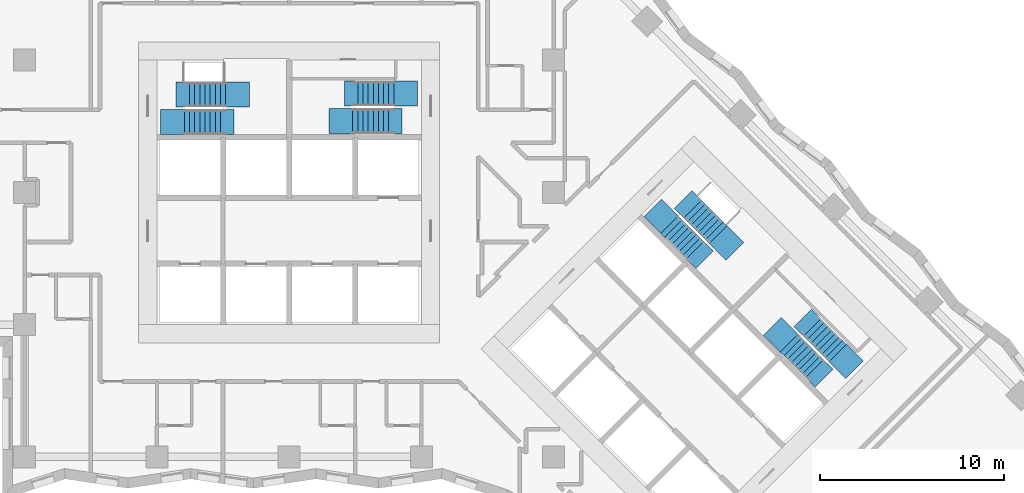
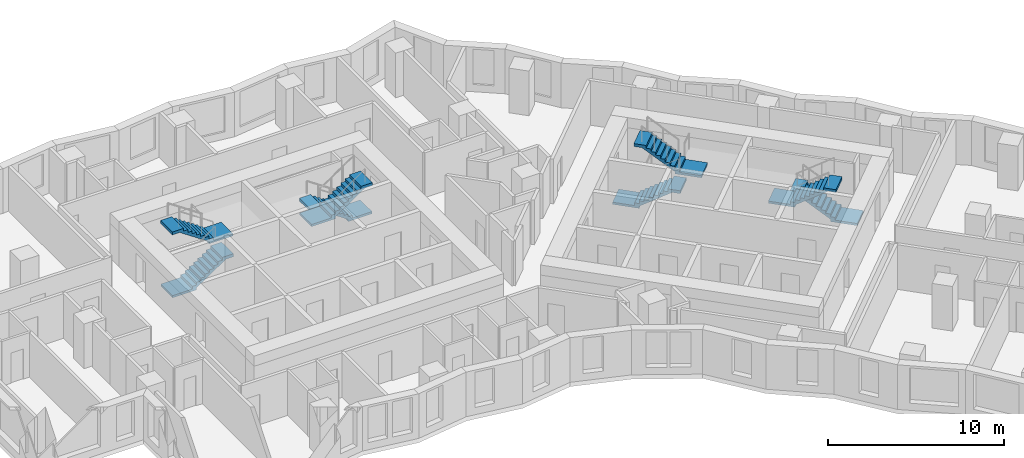
# One storey, part 10 of 12: 8 stair flights, 4 elements without a shape of their own.
"""IFC4 building model written with IfcOpenShell, lengths in metres."""

from ifc_helpers import new_model, si_unit, direction, frame, origin, place, context, subcontext, project, spatial, polyline, outline, extrude, material, type_object, element, aggregate, save


model = new_model("IFC4")

# Units and contexts
model_context = context("Model", 3, precision=1e-05, world=origin(), true_north=direction((0.0, 1.0)))
body_context = subcontext(model_context, "Body", "Model", "MODEL_VIEW")
ifc_project = project(units=[si_unit("LENGTHUNIT", "METRE"), si_unit("AREAUNIT", "SQUARE_METRE"), si_unit("VOLUMEUNIT", "CUBIC_METRE"), si_unit("PLANEANGLEUNIT", "RADIAN"), si_unit("MASSUNIT", "GRAM", prefix="KILO")], contexts=[model_context])

# Site, building, storey
site_placement = place(None, origin())
site = spatial("IfcSite", under=ifc_project, at=site_placement, CompositionType="ELEMENT")
building_placement = place(site_placement, origin())
building = spatial("IfcBuilding", under=site, at=building_placement, Name="Windrow Commons", CompositionType="ELEMENT")
storey_placement = place(building_placement, frame((0.0, 0.0, 50.8)))
storey = spatial("IfcBuildingStorey", under=building, at=storey_placement, Name="L13", CompositionType="ELEMENT", Elevation=50.8)

# Stair, stair flights
ifc_material_1 = material(Name="Concrete C40/50", Category="concrete")
stair_type = type_object("IfcStairType", Name="Core stair", PredefinedType="HALF_TURN_STAIR", material=ifc_material_1)
placement = place(storey_placement, origin())
stair_1 = element("IfcStair", 1, at=placement, inside=storey, type_object=stair_type, Name="L13 Exit stair A1 core A", PredefinedType="HALF_TURN_STAIR")
ifc_material_2 = material(Name="Concrete C40/50", Category="concrete")
stair_flight_type = type_object("IfcStairFlightType", Name="Core stair flight", PredefinedType="STRAIGHT", material=ifc_material_2)
stair_flight_1_placement = place(storey_placement, frame((59.1, 61.425, 0.0), z_axis=(0.0, 0.0, 1.0), x_axis=(1.0, 0.0, 0.0)))
stair_flight_1 = element("IfcStairFlight", 2, at=stair_flight_1_placement, type_object=stair_flight_type, Name="ST-A1 flight 1", NumberOfRisers=9, NumberOfTreads=8, PredefinedType="STRAIGHT", RiserHeight=0.188888889, TreadLength=0.28, context=body_context, shape_type="SweptSolid", body=[
    extrude(outline(polyline([(-1.3, -0.15), (-1.3, 0.0), (0.0, 0.0), (0.0, 0.1889), (0.28, 0.1889), (0.28, 0.3778), (0.56, 0.3778), (0.56, 0.5667), (0.84, 0.5667), (0.84, 0.7556), (1.12, 0.7556), (1.12, 0.9444), (1.4, 0.9444), (1.4, 1.1333), (1.68, 1.1333), (1.68, 1.3222), (1.96, 1.3222), (1.96, 1.5111), (2.24, 1.5111), (2.69, 1.5111), (2.69, 1.3111), (2.24, 1.3111), (2.24, 1.3302), (0.2682, 0.0), (0.2682, -0.15), (-1.3, -0.15)])), frame((0.0, 0.675, 0.0), z_axis=(0.0, -1.0, 0.0), x_axis=(1.0, 0.0, 0.0)), (0.0, 0.0, 1.0), 1.35),
])
stair_flight_2_placement = place(storey_placement, frame((61.34, 62.925, 1.7), z_axis=(0.0, 0.0, 1.0), x_axis=(-1.0, 0.0, 0.0)))
stair_flight_2 = element("IfcStairFlight", 3, at=stair_flight_2_placement, type_object=stair_flight_type, Name="ST-A1 flight 2", NumberOfRisers=9, NumberOfTreads=8, PredefinedType="STRAIGHT", RiserHeight=0.188888889, TreadLength=0.28, context=body_context, shape_type="SweptSolid", body=[
    extrude(outline(polyline([(-1.3, -0.15), (-1.3, 0.0), (0.0, 0.0), (0.0, 0.1889), (0.28, 0.1889), (0.28, 0.3778), (0.56, 0.3778), (0.56, 0.5667), (0.84, 0.5667), (0.84, 0.7556), (1.12, 0.7556), (1.12, 0.9444), (1.4, 0.9444), (1.4, 1.1333), (1.68, 1.1333), (1.68, 1.3222), (1.96, 1.3222), (1.96, 1.5111), (2.24, 1.5111), (2.69, 1.5111), (2.69, 1.3111), (2.24, 1.3111), (2.24, 1.3302), (0.2682, 0.0), (0.2682, -0.15), (-1.3, -0.15)])), frame((0.0, 0.675, 0.0), z_axis=(0.0, -1.0, 0.0), x_axis=(1.0, 0.0, 0.0)), (0.0, 0.0, 1.0), 1.35),
])
aggregate(stair_1, [stair_flight_1, stair_flight_2])

stair_2 = element("IfcStair", 4, at=placement, inside=storey, type_object=stair_type, Name="L13 Exit stair A2 core A", PredefinedType="HALF_TURN_STAIR")
stair_flight_3_placement = place(storey_placement, frame((70.5, 62.98, 0.0), z_axis=(0.0, 0.0, 1.0), x_axis=(-1.0, 0.0, 0.0)))
stair_flight_3 = element("IfcStairFlight", 5, at=stair_flight_3_placement, type_object=stair_flight_type, Name="ST-A2 flight 1", NumberOfRisers=9, NumberOfTreads=8, PredefinedType="STRAIGHT", RiserHeight=0.188888889, TreadLength=0.28, context=body_context, shape_type="SweptSolid", body=[
    extrude(outline(polyline([(-1.3, -0.15), (-1.3, 0.0), (0.0, 0.0), (0.0, 0.1889), (0.28, 0.1889), (0.28, 0.3778), (0.56, 0.3778), (0.56, 0.5667), (0.84, 0.5667), (0.84, 0.7556), (1.12, 0.7556), (1.12, 0.9444), (1.4, 0.9444), (1.4, 1.1333), (1.68, 1.1333), (1.68, 1.3222), (1.96, 1.3222), (1.96, 1.5111), (2.24, 1.5111), (2.69, 1.5111), (2.69, 1.3111), (2.24, 1.3111), (2.24, 1.3302), (0.2682, 0.0), (0.2682, -0.15), (-1.3, -0.15)])), frame((0.0, 0.675, 0.0), z_axis=(0.0, -1.0, 0.0), x_axis=(1.0, 0.0, 0.0)), (0.0, 0.0, 1.0), 1.35),
])
stair_flight_4_placement = place(storey_placement, frame((68.26, 61.48, 1.7), z_axis=(0.0, 0.0, 1.0), x_axis=(1.0, 0.0, 0.0)))
stair_flight_4 = element("IfcStairFlight", 6, at=stair_flight_4_placement, type_object=stair_flight_type, Name="ST-A2 flight 2", NumberOfRisers=9, NumberOfTreads=8, PredefinedType="STRAIGHT", RiserHeight=0.188888889, TreadLength=0.28, context=body_context, shape_type="SweptSolid", body=[
    extrude(outline(polyline([(-1.3, -0.15), (-1.3, 0.0), (0.0, 0.0), (0.0, 0.1889), (0.28, 0.1889), (0.28, 0.3778), (0.56, 0.3778), (0.56, 0.5667), (0.84, 0.5667), (0.84, 0.7556), (1.12, 0.7556), (1.12, 0.9444), (1.4, 0.9444), (1.4, 1.1333), (1.68, 1.1333), (1.68, 1.3222), (1.96, 1.3222), (1.96, 1.5111), (2.24, 1.5111), (2.69, 1.5111), (2.69, 1.3111), (2.24, 1.3111), (2.24, 1.3302), (0.2682, 0.0), (0.2682, -0.15), (-1.3, -0.15)])), frame((0.0, 0.675, 0.0), z_axis=(0.0, -1.0, 0.0), x_axis=(1.0, 0.0, 0.0)), (0.0, 0.0, 1.0), 1.35),
])
aggregate(stair_2, [stair_flight_3, stair_flight_4])

stair_3 = element("IfcStair", 7, at=placement, inside=storey, type_object=stair_type, Name="L13 Exit stair B1 core B", PredefinedType="HALF_TURN_STAIR")
stair_flight_5_placement = place(storey_placement, frame((85.5109, 55.8249, 0.0), z_axis=(0.0, 0.0, 1.0), x_axis=(0.7071067812, -0.7071067812, 0.0)))
stair_flight_5 = element("IfcStairFlight", 8, at=stair_flight_5_placement, type_object=stair_flight_type, Name="ST-B1 flight 1", NumberOfRisers=9, NumberOfTreads=8, PredefinedType="STRAIGHT", RiserHeight=0.188888889, TreadLength=0.28, context=body_context, shape_type="SweptSolid", body=[
    extrude(outline(polyline([(-1.3, -0.15), (-1.3, 0.0), (0.0, 0.0), (0.0, 0.1889), (0.28, 0.1889), (0.28, 0.3778), (0.56, 0.3778), (0.56, 0.5667), (0.84, 0.5667), (0.84, 0.7556), (1.12, 0.7556), (1.12, 0.9444), (1.4, 0.9444), (1.4, 1.1333), (1.68, 1.1333), (1.68, 1.3222), (1.96, 1.3222), (1.96, 1.5111), (2.24, 1.5111), (2.69, 1.5111), (2.69, 1.3111), (2.24, 1.3111), (2.24, 1.3302), (0.2682, 0.0), (0.2682, -0.15), (-1.3, -0.15)])), frame((0.0, 0.675, 0.0), z_axis=(0.0, -1.0, 0.0), x_axis=(1.0, 0.0, 0.0)), (0.0, 0.0, 1.0), 1.35),
])
stair_flight_6_placement = place(storey_placement, frame((88.1555, 55.3017, 1.7), z_axis=(0.0, 0.0, 1.0), x_axis=(-0.7071067812, 0.7071067812, 0.0)))
stair_flight_6 = element("IfcStairFlight", 9, at=stair_flight_6_placement, type_object=stair_flight_type, Name="ST-B1 flight 2", NumberOfRisers=9, NumberOfTreads=8, PredefinedType="STRAIGHT", RiserHeight=0.188888889, TreadLength=0.28, context=body_context, shape_type="SweptSolid", body=[
    extrude(outline(polyline([(-1.3, -0.15), (-1.3, 0.0), (0.0, 0.0), (0.0, 0.1889), (0.28, 0.1889), (0.28, 0.3778), (0.56, 0.3778), (0.56, 0.5667), (0.84, 0.5667), (0.84, 0.7556), (1.12, 0.7556), (1.12, 0.9444), (1.4, 0.9444), (1.4, 1.1333), (1.68, 1.1333), (1.68, 1.3222), (1.96, 1.3222), (1.96, 1.5111), (2.24, 1.5111), (2.69, 1.5111), (2.69, 1.3111), (2.24, 1.3111), (2.24, 1.3302), (0.2682, 0.0), (0.2682, -0.15), (-1.3, -0.15)])), frame((0.0, 0.675, 0.0), z_axis=(0.0, -1.0, 0.0), x_axis=(1.0, 0.0, 0.0)), (0.0, 0.0, 1.0), 1.35),
])
aggregate(stair_3, [stair_flight_5, stair_flight_6])

stair_4 = element("IfcStair", 10, at=placement, inside=storey, type_object=stair_type, Name="L13 Exit stair B2 core B", PredefinedType="HALF_TURN_STAIR")
stair_flight_7_placement = place(storey_placement, frame((94.6715, 48.8635, 0.0), z_axis=(0.0, 0.0, 1.0), x_axis=(-0.7071067812, 0.7071067812, 0.0)))
stair_flight_7 = element("IfcStairFlight", 11, at=stair_flight_7_placement, type_object=stair_flight_type, Name="ST-B2 flight 1", NumberOfRisers=9, NumberOfTreads=8, PredefinedType="STRAIGHT", RiserHeight=0.188888889, TreadLength=0.28, context=body_context, shape_type="SweptSolid", body=[
    extrude(outline(polyline([(-1.3, -0.15), (-1.3, 0.0), (0.0, 0.0), (0.0, 0.1889), (0.28, 0.1889), (0.28, 0.3778), (0.56, 0.3778), (0.56, 0.5667), (0.84, 0.5667), (0.84, 0.7556), (1.12, 0.7556), (1.12, 0.9444), (1.4, 0.9444), (1.4, 1.1333), (1.68, 1.1333), (1.68, 1.3222), (1.96, 1.3222), (1.96, 1.5111), (2.24, 1.5111), (2.69, 1.5111), (2.69, 1.3111), (2.24, 1.3111), (2.24, 1.3302), (0.2682, 0.0), (0.2682, -0.15), (-1.3, -0.15)])), frame((0.0, 0.675, 0.0), z_axis=(0.0, -1.0, 0.0), x_axis=(1.0, 0.0, 0.0)), (0.0, 0.0, 1.0), 1.35),
])
stair_flight_8_placement = place(storey_placement, frame((92.0269, 49.3867, 1.7), z_axis=(0.0, 0.0, 1.0), x_axis=(0.7071067812, -0.7071067812, 0.0)))
stair_flight_8 = element("IfcStairFlight", 12, at=stair_flight_8_placement, type_object=stair_flight_type, Name="ST-B2 flight 2", NumberOfRisers=9, NumberOfTreads=8, PredefinedType="STRAIGHT", RiserHeight=0.188888889, TreadLength=0.28, context=body_context, shape_type="SweptSolid", body=[
    extrude(outline(polyline([(-1.3, -0.15), (-1.3, 0.0), (0.0, 0.0), (0.0, 0.1889), (0.28, 0.1889), (0.28, 0.3778), (0.56, 0.3778), (0.56, 0.5667), (0.84, 0.5667), (0.84, 0.7556), (1.12, 0.7556), (1.12, 0.9444), (1.4, 0.9444), (1.4, 1.1333), (1.68, 1.1333), (1.68, 1.3222), (1.96, 1.3222), (1.96, 1.5111), (2.24, 1.5111), (2.69, 1.5111), (2.69, 1.3111), (2.24, 1.3111), (2.24, 1.3302), (0.2682, 0.0), (0.2682, -0.15), (-1.3, -0.15)])), frame((0.0, 0.675, 0.0), z_axis=(0.0, -1.0, 0.0), x_axis=(1.0, 0.0, 0.0)), (0.0, 0.0, 1.0), 1.35),
])
aggregate(stair_4, [stair_flight_7, stair_flight_8])

save(model, "model.ifc")
